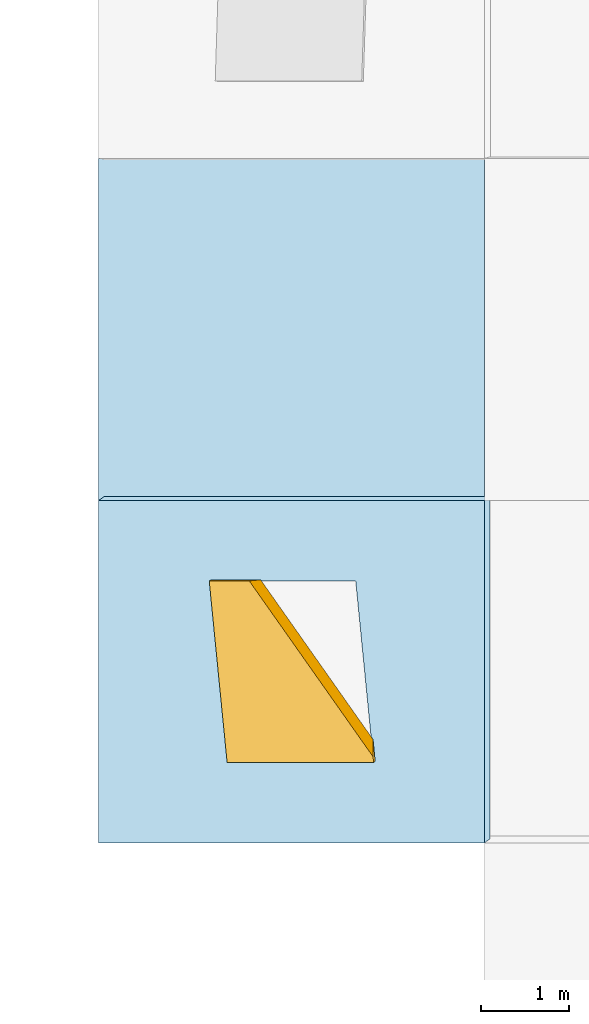
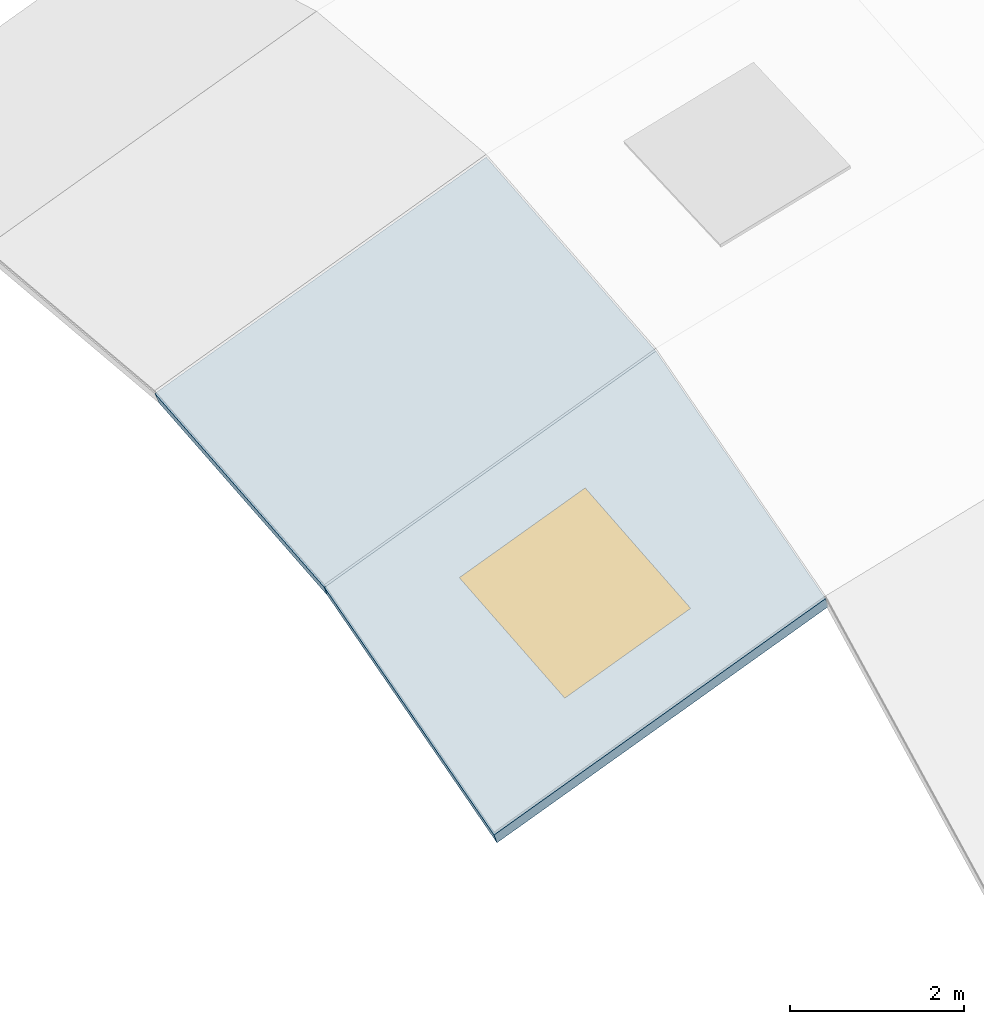
# One storey, part 18 of 45: 2 slabs, 1 window, 1 opening.
"""IFC4 building model written with IfcOpenShell, lengths in metres."""

from ifc_helpers import new_model, si_unit, direction, frame, origin, origin_2d, place, context, subcontext, project, spatial, polyline, rectangle, outline, extrude, material, layer, layer_set, type_object, element, fill, save


model = new_model("IFC4")

# Units and contexts
model_context = context("Model", 3, precision=1e-05, world=origin(), true_north=direction((0.0, 1.0)))
body_context = subcontext(model_context, "Body", "Model", "MODEL_VIEW")
ifc_project = project(units=[si_unit("LENGTHUNIT", "METRE"), si_unit("AREAUNIT", "SQUARE_METRE"), si_unit("VOLUMEUNIT", "CUBIC_METRE"), si_unit("PLANEANGLEUNIT", "RADIAN"), si_unit("MASSUNIT", "GRAM", prefix="KILO")], contexts=[model_context])

# Site, building, storey
site_placement = place(None, origin())
site = spatial("IfcSite", under=ifc_project, at=site_placement, CompositionType="ELEMENT")
building_placement = place(site_placement, origin())
building = spatial("IfcBuilding", under=site, at=building_placement, Name="Celorna Specialist Clinic", CompositionType="ELEMENT")
storey_placement = place(building_placement, frame((0.0, 0.0, 18.60009765625)))
storey = spatial("IfcBuildingStorey", under=building, at=storey_placement, Name="L04", CompositionType="ELEMENT", Elevation=18.60009765625)

# Slab, opening, window
ifc_material_1 = material(Name="Glulam GL28h insulated roof deck", Category="wood")
ifc_layer = layer(ifc_material_1, 0.179931640625, Name="Glulam GL28h insulated roof deck")
ifc_layer_set = layer_set([ifc_layer], Name="Glulam GL28h insulated roof deck")
slab_type = type_object("IfcSlabType", Name="SL-12", PredefinedType="ROOF", material=ifc_layer_set)
slab_1_placement = place(storey_placement, frame((59.0, 54.60009765625, -0.34033203125), z_axis=(-0.36192747451, -0.25479901434, 0.896708406053), x_axis=(0.927315344547, 0.0, 0.374280979704)))
slab_1 = element("IfcSlab", 1, at=slab_1_placement, inside=storey, type_object=slab_type, Name="GSH-V1 translational gridshell roof facet 2-3", PredefinedType="ROOF", context=body_context, shape_type="SweptSolid", body=[
    extrude(outline(polyline([(0.0, 0.0), (4.744774654733399, -5.551115123125783e-17), (5.159535730631362, 4.0330159293498005), (0.41476107589796357, 4.0330159293498005), (0.0, 0.0)])), origin(), (0.0, 0.0, -1.0), 0.179931640625),
])
opening_placement = place(slab_1_placement, frame((2.579833984375, 2.0166015625, 0.010009765625)))
opening = element("IfcOpeningElement", 2, at=opening_placement, cuts=slab_1, Name="Opening SK-02", PredefinedType="OPENING", context=body_context, shape_type="SweptSolid", body=[
    extrude(rectangle(XDim=1.800048828125, YDim=2.139892578125, at=origin_2d()), origin(), (0.0, 0.0, -1.0), 0.199951171875),
])
ifc_material_2 = material(Name="Outpatient atrium skylight lantern")
window_type = type_object("IfcWindowType", Name="SK-02", PartitioningType="SINGLE_PANEL", PredefinedType="SKYLIGHT", material=ifc_material_2)
window_placement = place(opening_placement, frame((0.0, 0.0, -0.010009765625)))
window = element("IfcWindow", 3, at=window_placement, inside=storey, type_object=window_type, Name="GSH-V1 gridshell skylight 2-3", OverallHeight=2.139892578125, OverallWidth=1.800048828125, PartitioningType="SINGLE_PANEL", PredefinedType="SKYLIGHT", context=body_context, shape_type="SweptSolid", body=[
    extrude(rectangle(XDim=1.800048828125, YDim=2.139892578125, at=origin_2d()), origin(), (0.0, 0.0, -1.0), 0.050048828125),
])
fill(opening, window)

# Slab
slab_2_placement = place(storey_placement, frame((59.0, 58.5, 0.767822265625), z_axis=(-0.372920883143, -0.084481988478, 0.924009095485), x_axis=(0.927324209986, 2.008329e-06, 0.374259014014)))
element("IfcSlab", 4, at=slab_2_placement, inside=storey, type_object=slab_type, Name="GSH-V1 translational gridshell roof facet 2-4", PredefinedType="ROOF", context=body_context, shape_type="SweptSolid", body=[
    extrude(outline(polyline([(0.0, 0.0), (4.744774653392712, -5.551115123125783e-17), (4.878185356885305, 3.913884658885731), (0.1335020753221857, 3.9139037852148997), (0.0, 0.0)])), origin(), (0.0, 0.0, -1.0), 0.179931640625),
])

save(model, "model.ifc")
